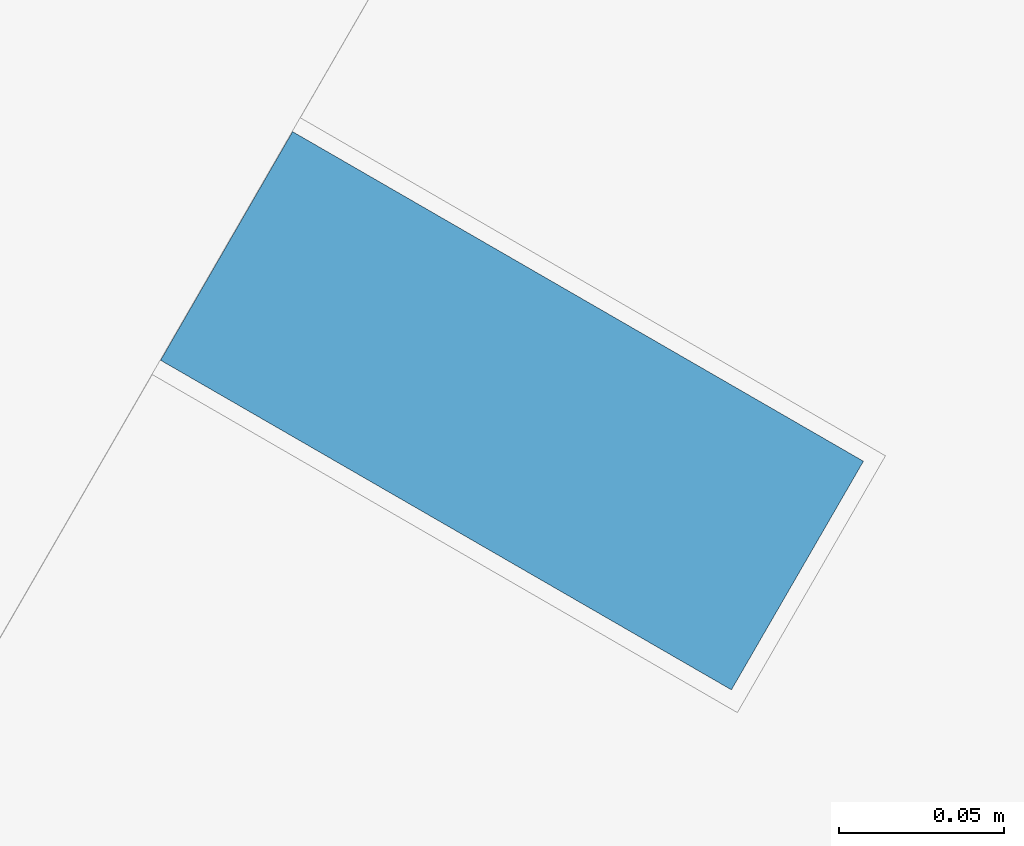
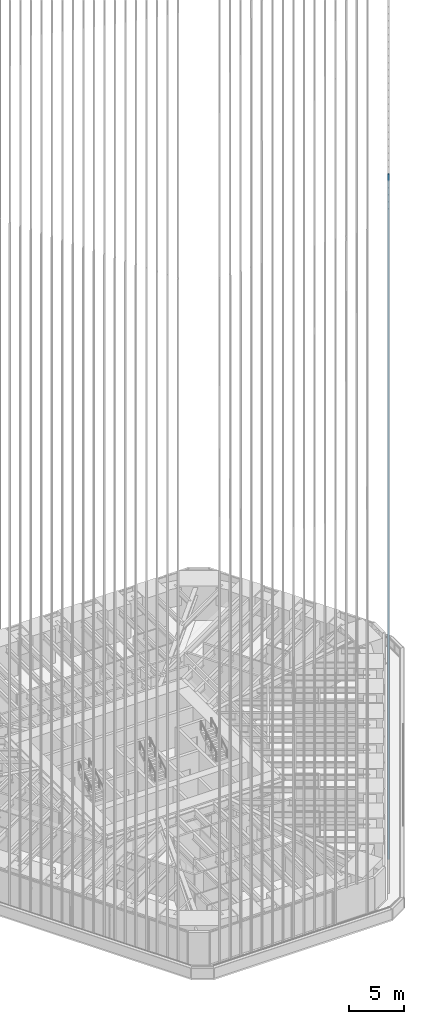
# One storey, part 76 of 238: 1 member, 1 element without a shape of its own.
"""IFC4 building model written with IfcOpenShell, lengths in metres."""

from ifc_helpers import new_model, si_unit, direction, frame, origin, origin_2d, place, context, subcontext, project, spatial, rectangle, extrude, material, material_profile, profile_set, type_object, element, aggregate, save


model = new_model("IFC4")

# Units and contexts
model_context = context("Model", 3, precision=1e-05, world=origin(), true_north=direction((0.0, 1.0)))
body_context = subcontext(model_context, "Body", "Model", "MODEL_VIEW")
ifc_project = project(units=[si_unit("LENGTHUNIT", "METRE"), si_unit("AREAUNIT", "SQUARE_METRE"), si_unit("VOLUMEUNIT", "CUBIC_METRE"), si_unit("PLANEANGLEUNIT", "RADIAN"), si_unit("MASSUNIT", "GRAM", prefix="KILO")], contexts=[model_context])

# Site, building, storey
site_placement = place(None, origin())
site = spatial("IfcSite", under=ifc_project, at=site_placement, CompositionType="ELEMENT")
building_placement = place(site_placement, origin())
building = spatial("IfcBuilding", under=site, at=building_placement, Name="Sandreach Pilgrim Tower", CompositionType="ELEMENT")
storey_placement = place(building_placement, frame((0.0, 0.0, 96.800048828125)))
storey = spatial("IfcBuildingStorey", under=building, at=storey_placement, Name="L23", CompositionType="ELEMENT", Elevation=96.800048828125)

# Curtain wall, member
ifc_material_1 = material(Name="Aluminium framed curtain wall", Category="aluminium")
curtain_wall_type = type_object("IfcCurtainWallType", Name="Hotel tower curtain wall", PredefinedType="NOTDEFINED", material=ifc_material_1)
curtain_wall_placement = place(storey_placement, origin())
curtain_wall = element("IfcCurtainWall", 1, at=curtain_wall_placement, inside=storey, type_object=curtain_wall_type, Name="CW-2 L23 SE", PredefinedType="NOTDEFINED")
ifc_material_2 = material(Name="Extruded terracotta on aluminium core", Category="masonry")
ifc_material_profile = material_profile(ifc_material_2, rectangle(XDim=0.080078125, YDim=0.199951171875, at=origin_2d()), Name="TBE 80X200")
ifc_profile_set = profile_set([ifc_material_profile], Name="Extruded terracotta on aluminium core")
member_type = type_object("IfcMemberType", Name="Terracotta baguette east", PredefinedType="USERDEFINED", material=ifc_profile_set)
member_placement = place(storey_placement, frame((13.772705078125, -21.9326171875, 0.0), z_axis=(0.0, 0.0, 1.0), x_axis=(-0.5, -0.866025403784, 0.0)))
member = element("IfcMember", 2, at=member_placement, type_object=member_type, Name="Baguette Z2 SE28", ObjectType="BAGUETTE", PredefinedType="USERDEFINED", context=body_context, shape_type="SweptSolid", body=[
    extrude(rectangle(XDim=0.080078125, YDim=0.199951171875, at=origin_2d()), origin(), (0.0, 0.0, 1.0), 75.83984375),
])
aggregate(curtain_wall, [member])

save(model, "model.ifc")
